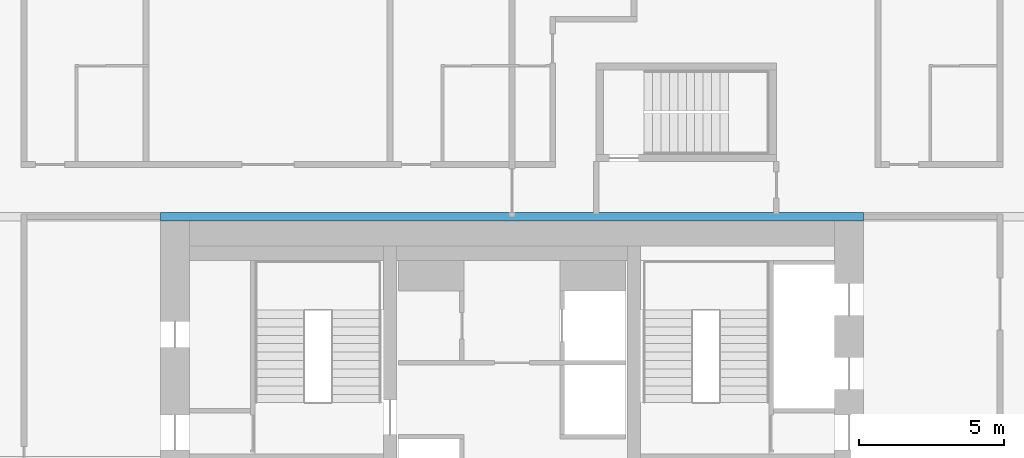
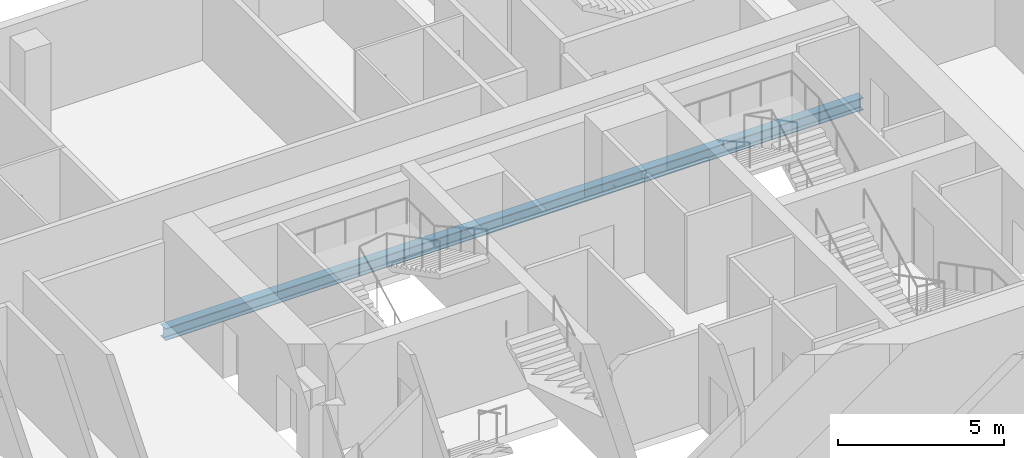
# One storey, part 9 of 23: 1 beam.
"""IFC4 building model written with IfcOpenShell, lengths in metres."""

from ifc_helpers import new_model, si_unit, direction, frame, origin, origin_2d, place, context, subcontext, project, spatial, i_section, extrude, material, material_profile, profile_set, type_object, element, save


model = new_model("IFC4")

# Units and contexts
model_context = context("Model", 3, precision=1e-05, world=origin(), true_north=direction((0.0, 1.0)))
body_context = subcontext(model_context, "Body", "Model", "MODEL_VIEW")
ifc_project = project(units=[si_unit("LENGTHUNIT", "METRE"), si_unit("AREAUNIT", "SQUARE_METRE"), si_unit("VOLUMEUNIT", "CUBIC_METRE"), si_unit("PLANEANGLEUNIT", "RADIAN"), si_unit("MASSUNIT", "GRAM", prefix="KILO")], contexts=[model_context])

# Site, building, storey
site_placement = place(None, origin())
site = spatial("IfcSite", under=ifc_project, at=site_placement, CompositionType="ELEMENT")
building_placement = place(site_placement, origin())
building = spatial("IfcBuilding", under=site, at=building_placement, Name="Marenta Gate Hotel Tower", CompositionType="ELEMENT")
storey_placement = place(building_placement, frame((0.0, 0.0, 140.89990234375)))
storey = spatial("IfcBuildingStorey", under=building, at=storey_placement, Name="L32", CompositionType="ELEMENT", Elevation=140.89990234375)

# Beam
ifc_material = material(Name="Steel S355", Category="steel")
ifc_material_profile = material_profile(ifc_material, i_section(OverallWidth=0.300048828125, OverallDepth=0.449951171875, WebThickness=0.013916015625, FlangeThickness=0.02587890625, FilletRadius=0.027099609375, at=origin_2d()), Name="HEB 450")
ifc_profile_set = profile_set([ifc_material_profile], Name="Steel S355")
beam_type = type_object("IfcBeamType", Name="Girder HEB 450", PredefinedType="BEAM", material=ifc_profile_set)
beam_placement = place(storey_placement, frame((-12.10009765625, 16.800048828125, -0.48486328125), z_axis=(1.0, 0.0, 0.0), x_axis=(0.0, 1.0, 0.0)))
element("IfcBeam", 1, at=beam_placement, inside=storey, type_object=beam_type, Name="L32-GD-26", PredefinedType="BEAM", context=body_context, shape_type="SweptSolid", body=[
    extrude(i_section(OverallWidth=0.300048828125, OverallDepth=0.449951171875, WebThickness=0.013916015625, FlangeThickness=0.02587890625, FilletRadius=0.027099609375, at=origin_2d()), origin(), (0.0, 0.0, 1.0), 24.2001953125),
])

save(model, "model.ifc")
